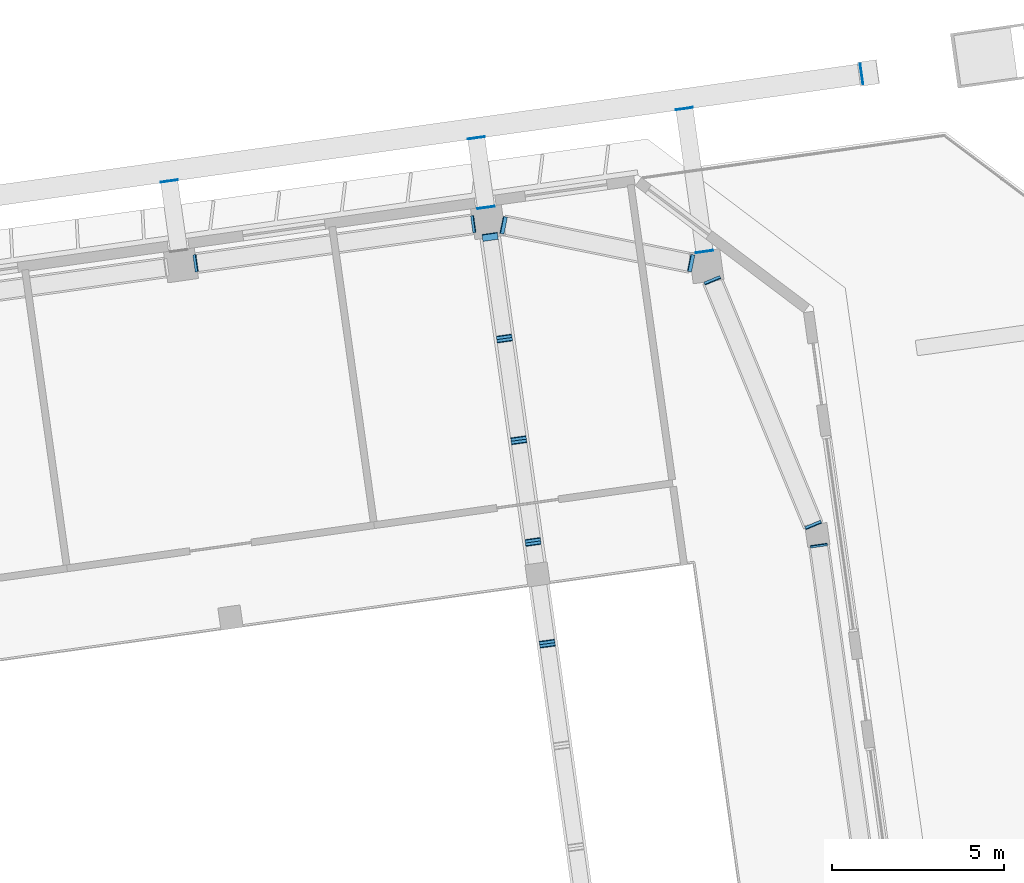
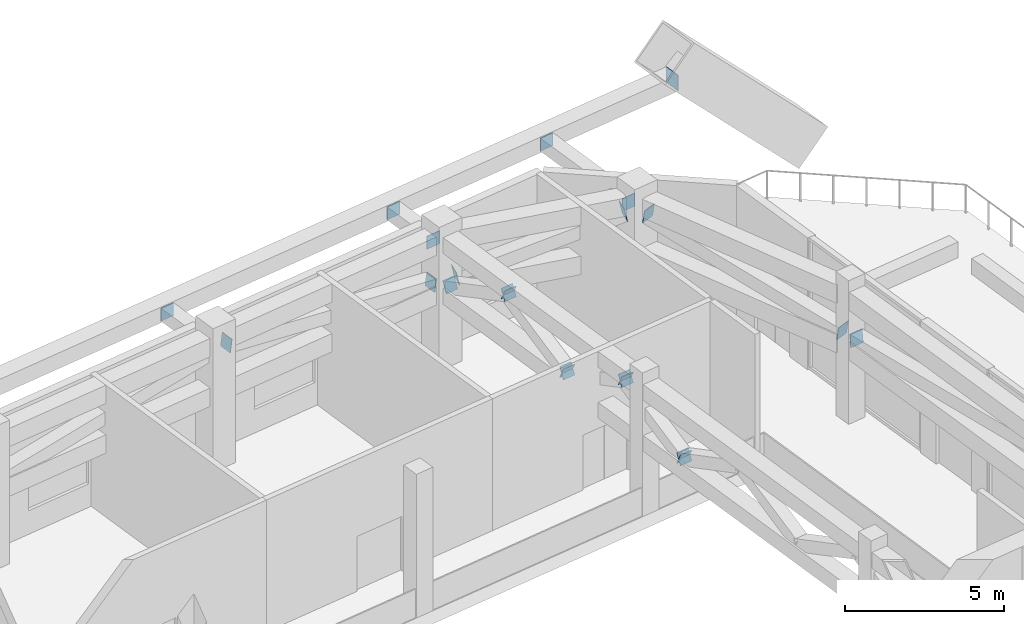
# One storey, part 38 of 41: 22 discrete accessories.
"""IFC4 building model written with IfcOpenShell, lengths in metres."""

from ifc_helpers import new_model, si_unit, direction, frame, origin, origin_2d, place, context, subcontext, project, spatial, rectangle, extrude, material, material_profile, profile_set, type_object, element, save


model = new_model("IFC4")

# Units and contexts
model_context = context("Model", 3, precision=1e-05, world=origin(), true_north=direction((0.0, 1.0)))
body_context = subcontext(model_context, "Body", "Model", "MODEL_VIEW")
ifc_project = project(units=[si_unit("LENGTHUNIT", "METRE"), si_unit("AREAUNIT", "SQUARE_METRE"), si_unit("VOLUMEUNIT", "CUBIC_METRE"), si_unit("PLANEANGLEUNIT", "RADIAN"), si_unit("MASSUNIT", "GRAM", prefix="KILO")], contexts=[model_context])

# Site, building, storey
site_placement = place(None, origin())
site = spatial("IfcSite", under=ifc_project, at=site_placement, CompositionType="ELEMENT")
building_placement = place(site_placement, origin())
building = spatial("IfcBuilding", under=site, at=building_placement, Name="Mirante Cascada Hotel Towers", CompositionType="ELEMENT")
storey_placement = place(building_placement, frame((0.0, 0.0, 151.9)))
storey = spatial("IfcBuildingStorey", under=building, at=storey_placement, Name="L35", CompositionType="ELEMENT", Elevation=151.9)

# Discrete accessories
ifc_material_1 = material(Name="Steel ASTM A572 Gr 50", Category="steel")
ifc_material_profile_1 = material_profile(ifc_material_1, rectangle(XDim=0.45, YDim=0.45, at=origin_2d()), Name="Connection plate 450x450x25 ASTM A572 Gr 50")
ifc_profile_set_1 = profile_set([ifc_material_profile_1], Name="Steel ASTM A572 Gr 50")
discrete_accessory_type_1 = type_object("IfcDiscreteAccessoryType", Name="Connection plate 450x450x25 ASTM A572 Gr 50", PredefinedType="BRACKET", material=ifc_profile_set_1)
for number, where, z_axis, x_axis, name in (
    (1, (82.6556, 11.3417, 3.1052), (-0.1236513, 0.9014579, -0.4148302), (-0.9907232, -0.1358957, 0.0), "Connection plate OR356D"),
    (2, (82.6556, 11.3417, 3.0948), (-0.1236513, 0.9014579, 0.4148302), (-0.9907232, -0.1358957, 0.0), "Connection plate OR356D"),
    (3, (82.2407, 14.2939, 4.4448), (-0.1236513, 0.9014579, 0.4148302), (-0.9907232, -0.1358957, 0.0), "Connection plate OR356D"),
    (4, (82.2407, 14.2939, 4.4552), (-0.1236513, 0.9014579, -0.4148302), (-0.9907232, -0.1358957, 0.0), "Connection plate OR356D"),
):
    element("IfcDiscreteAccessory", number, at=place(storey_placement, frame(where, z_axis=z_axis, x_axis=x_axis)), inside=storey, type_object=discrete_accessory_type_1, Name=name, PredefinedType="BRACKET", context=body_context, shape_type="SweptSolid", body=[
        extrude(rectangle(XDim=0.45, YDim=0.45, at=origin_2d()), origin(), (0.0, 0.0, 1.0), 0.0251),
    ])
for number, where, z_axis, x_axis, name in (
    (5, (81.8258, 17.2462, 3.1052), (-0.1280359, 0.9002521, -0.4161165), (-0.9900373, -0.1408053, 0.0), "Connection plate OR356D"),
    (6, (81.8258, 17.2462, 3.0948), (-0.1280359, 0.9002521, 0.4161165), (-0.9900373, -0.1408053, 0.0), "Connection plate OR356D"),
):
    element("IfcDiscreteAccessory", number, at=place(storey_placement, frame(where, z_axis=z_axis, x_axis=x_axis)), inside=storey, type_object=discrete_accessory_type_1, Name=name, PredefinedType="BRACKET", context=body_context, shape_type="SweptSolid", body=[
        extrude(rectangle(XDim=0.45, YDim=0.45, at=origin_2d()), origin(), (0.0, 0.0, 1.0), 0.025),
    ])
for number, where, z_axis, x_axis, name in (
    (7, (81.4109, 20.1984, 4.4448), (-0.1275761, 0.9010064, 0.4146224), (-0.990124, -0.1401945, 0.0), "Connection plate OR356D"),
    (8, (81.4109, 20.1984, 4.4552), (-0.1275761, 0.9010064, -0.4146224), (-0.990124, -0.1401945, 0.0), "Connection plate OR356D"),
    (9, (80.996, 23.1506, 3.1052), (-0.1275761, 0.9010064, -0.4146224), (-0.990124, -0.1401945, 0.0), "Connection plate OR356D"),
):
    element("IfcDiscreteAccessory", number, at=place(storey_placement, frame(where, z_axis=z_axis, x_axis=x_axis)), inside=storey, type_object=discrete_accessory_type_1, Name=name, PredefinedType="BRACKET", context=body_context, shape_type="SweptSolid", body=[
        extrude(rectangle(XDim=0.45, YDim=0.45, at=origin_2d()), origin(), (0.0, 0.0, 1.0), 0.0251),
    ])
ifc_material_2 = material(Name="Steel ASTM A572 Gr 50", Category="steel")
ifc_material_profile_2 = material_profile(ifc_material_2, rectangle(XDim=0.5, YDim=0.5, at=origin_2d()), Name="Connection plate 500x500x25 ASTM A572 Gr 50")
ifc_profile_set_2 = profile_set([ifc_material_profile_2], Name="Steel ASTM A572 Gr 50")
discrete_accessory_type_2 = type_object("IfcDiscreteAccessoryType", Name="Connection plate 500x500x25 ASTM A572 Gr 50", PredefinedType="BRACKET", material=ifc_profile_set_2)
for number, where, z_axis, x_axis, name in (
    (10, (72.4357, 22.3933, 4.3518), (0.9801804, 0.136025, -0.1440265), (-0.1374582, 0.9905076, 0.0), "Connection plate BT35D"),
    (11, (80.4965, 23.5262, 3.1518), (0.9801804, 0.136025, -0.1440265), (-0.1374582, 0.9905076, 0.0), "Connection plate BT35D"),
):
    element("IfcDiscreteAccessory", number, at=place(storey_placement, frame(where, z_axis=z_axis, x_axis=x_axis)), inside=storey, type_object=discrete_accessory_type_2, Name=name, PredefinedType="BRACKET", context=body_context, shape_type="SweptSolid", body=[
        extrude(rectangle(XDim=0.5, YDim=0.5, at=origin_2d()), origin(), (0.0, 0.0, 1.0), 0.025),
    ])
for number, where, z_axis, x_axis, name in (
    (12, (81.3707, 23.4997, 3.1474), (0.9581025, -0.196431, 0.2084574), (0.2008433, 0.9796234, 0.0), "Connection plate BT35D"),
    (13, (86.8144, 22.4005, 4.3474), (0.9588501, -0.1925724, 0.2086201), (0.196905, 0.9804226, 0.0), "Connection plate BT35D"),
):
    element("IfcDiscreteAccessory", number, at=place(storey_placement, frame(where, z_axis=z_axis, x_axis=x_axis)), inside=storey, type_object=discrete_accessory_type_2, Name=name, PredefinedType="BRACKET", context=body_context, shape_type="SweptSolid", body=[
        extrude(rectangle(XDim=0.5, YDim=0.5, at=origin_2d()), origin(), (0.0, 0.0, 1.0), 0.0249),
    ])
for number, where, z_axis, x_axis, name in (
    (14, (87.4392, 21.908, 4.3519), (0.3767119, -0.9137267, -0.1522878), (0.9245101, 0.3811577, 0.0), "Connection plate BT35D"),
    (15, (90.3667, 14.8076, 3.1519), (0.380143, -0.9123431, -0.1520572), (0.9230769, 0.3846154, 0.0), "Connection plate BT35D"),
    (16, (90.5324, 14.2147, 3.1486), (0.139972, -0.9838033, 0.1119776), (0.9900298, 0.1408579, 0.0), "Connection plate BT35D"),
):
    element("IfcDiscreteAccessory", number, at=place(storey_placement, frame(where, z_axis=z_axis, x_axis=x_axis)), inside=storey, type_object=discrete_accessory_type_2, Name=name, PredefinedType="BRACKET", context=body_context, shape_type="SweptSolid", body=[
        extrude(rectangle(XDim=0.5, YDim=0.5, at=origin_2d()), origin(), (0.0, 0.0, 1.0), 0.025),
    ])
for number, where, z_axis, x_axis, name in (
    (17, (71.6801, 24.7688, 4.35), (-0.136366, 0.9906585, 0.0), (-0.9906585, -0.136366, 0.0), "Connection plate TIE"),
    (18, (80.8765, 24.0012, 4.35), (-0.1402989, 0.9901092, 0.0), (-0.9901092, -0.1402989, 0.0), "Connection plate TIE"),
):
    element("IfcDiscreteAccessory", number, at=place(storey_placement, frame(where, z_axis=z_axis, x_axis=x_axis)), inside=storey, type_object=discrete_accessory_type_2, Name=name, PredefinedType="BRACKET", context=body_context, shape_type="SweptSolid", body=[
        extrude(rectangle(XDim=0.5, YDim=0.5, at=origin_2d()), origin(), (0.0, 0.0, 1.0), 0.0249),
    ])
discrete_accessory_1_placement = place(storey_placement, frame((80.5925, 26.0213, 4.35), z_axis=(-0.1358263, 0.9907327, 0.0), x_axis=(-0.9907327, -0.1358263, 0.0)))
element("IfcDiscreteAccessory", 19, at=discrete_accessory_1_placement, inside=storey, type_object=discrete_accessory_type_2, Name="Connection plate TIE", PredefinedType="BRACKET", context=body_context, shape_type="SweptSolid", body=[
    extrude(rectangle(XDim=0.5, YDim=0.5, at=origin_2d()), origin(), (0.0, 0.0, 1.0), 0.025),
])
for number, where, z_axis, x_axis, name in (
    (20, (87.2163, 22.7211, 4.35), (-0.1402989, 0.9901092, 0.0), (-0.9901092, -0.1402989, 0.0), "Connection plate TIE"),
    (21, (86.6332, 26.8703, 4.35), (-0.1402989, 0.9901092, 0.0), (-0.9901092, -0.1402989, 0.0), "Connection plate TIE"),
):
    element("IfcDiscreteAccessory", number, at=place(storey_placement, frame(where, z_axis=z_axis, x_axis=x_axis)), inside=storey, type_object=discrete_accessory_type_2, Name=name, PredefinedType="BRACKET", context=body_context, shape_type="SweptSolid", body=[
        extrude(rectangle(XDim=0.5, YDim=0.5, at=origin_2d()), origin(), (0.0, 0.0, 1.0), 0.0249),
    ])
ifc_material_3 = material(Name="Steel ASTM A572 Gr 50", Category="steel")
ifc_material_profile_3 = material_profile(ifc_material_3, rectangle(XDim=0.6, YDim=0.6, at=origin_2d()), Name="Connection plate 600x600x25 ASTM A572 Gr 50")
ifc_profile_set_3 = profile_set([ifc_material_profile_3], Name="Steel ASTM A572 Gr 50")
discrete_accessory_type_3 = type_object("IfcDiscreteAccessoryType", Name="Connection plate 600x600x25 ASTM A572 Gr 50", PredefinedType="BRACKET", material=ifc_profile_set_3)
discrete_accessory_2_placement = place(storey_placement, frame((91.7621, 27.8865, 4.35), z_axis=(0.9901092, 0.1402989, 0.0), x_axis=(-0.1402989, 0.9901092, 0.0)))
element("IfcDiscreteAccessory", 22, at=discrete_accessory_2_placement, inside=storey, type_object=discrete_accessory_type_3, Name="Connection plate NCH", PredefinedType="BRACKET", context=body_context, shape_type="SweptSolid", body=[
    extrude(rectangle(XDim=0.6, YDim=0.6, at=origin_2d()), origin(), (0.0, 0.0, 1.0), 0.0249),
])

save(model, "model.ifc")
